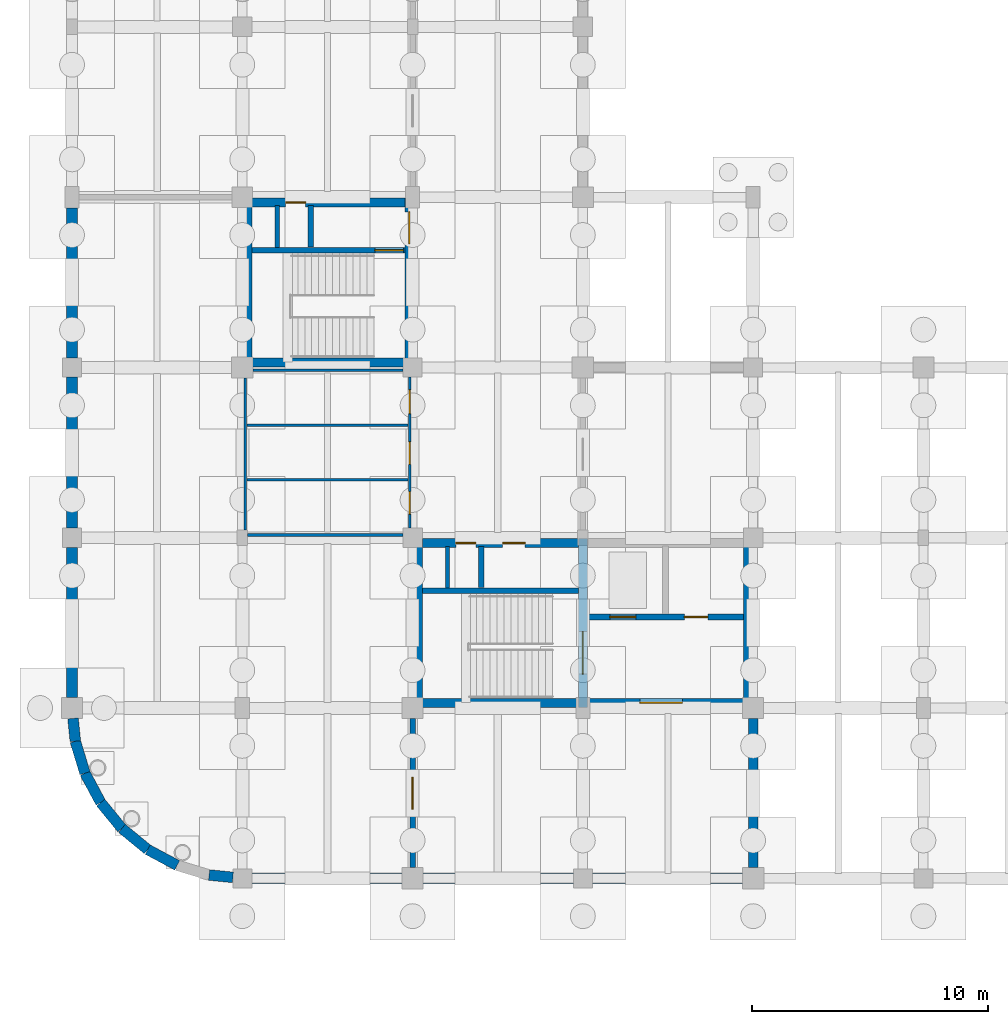
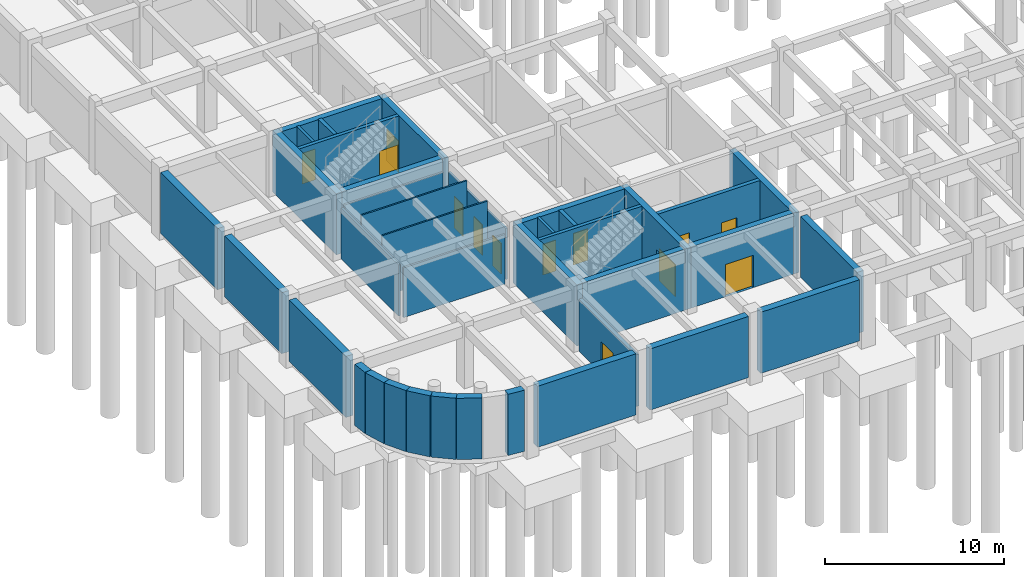
# One storey, part 37 of 47: 38 walls, 13 doors, 13 openings.
"""IFC4 building model written with IfcOpenShell, lengths in metres."""

from ifc_helpers import new_model, si_unit, direction, frame, frame_2d, origin, place, context, subcontext, project, spatial, rectangle, extrude, material, layer, layer_set, type_object, element, fill, save


model = new_model("IFC4")

# Units and contexts
model_context = context("Model", 3, precision=1e-05, world=origin(), true_north=direction((0.0, 1.0)))
body_context = subcontext(model_context, "Body", "Model", "MODEL_VIEW")
ifc_project = project(units=[si_unit("LENGTHUNIT", "METRE"), si_unit("AREAUNIT", "SQUARE_METRE"), si_unit("VOLUMEUNIT", "CUBIC_METRE"), si_unit("PLANEANGLEUNIT", "RADIAN"), si_unit("MASSUNIT", "GRAM", prefix="KILO")], contexts=[model_context])

# Site, building, storey
site_placement = place(None, origin())
site = spatial("IfcSite", under=ifc_project, at=site_placement, CompositionType="ELEMENT")
building_placement = place(site_placement, origin())
building = spatial("IfcBuilding", under=site, at=building_placement, Name="Thalmaran Polytechnic", CompositionType="ELEMENT")
storey_placement = place(building_placement, frame((0.0, 0.0, -4.5)))
storey = spatial("IfcBuildingStorey", under=building, at=storey_placement, Name="B1", CompositionType="ELEMENT", Elevation=-4.5)

# Walls
ifc_material_1 = material(Name="Autoclaved aerated masonry", Category="masonry")
ifc_layer_1 = layer(ifc_material_1, 0.22998046875, Name="Autoclaved aerated masonry")
ifc_layer_set_1 = layer_set([ifc_layer_1], Name="Autoclaved aerated masonry")
wall_type_1 = type_object("IfcWallType", Name="WL-IW02", PredefinedType="PARTITIONING", material=ifc_layer_set_1)
for number, where, z_axis, x_axis, name in (
    (1, (17.300048828125, 12.300048828125, 0.0), (0.0, 0.0, 1.0), (0.0, 1.0, 0.0), "Core C1 Riser Partition B1"),
    (2, (10.10009765625, 26.699951171875, 0.0), (0.0, 0.0, 1.0), (0.0, 1.0, 0.0), "Core C3 Riser Partition B1"),
):
    element("IfcWall", number, at=place(storey_placement, frame(where, z_axis=z_axis, x_axis=x_axis)), inside=storey, type_object=wall_type_1, Name=name, PredefinedType="PARTITIONING", context=body_context, shape_type="SweptSolid", body=[
        extrude(rectangle(XDim=1.739990234375, YDim=0.22998046875, at=frame_2d((0.8701171875, 0.0))), origin(), (0.0, 0.0, 1.0), 4.169921875),
    ])

# Wall, opening, door
wall_1_placement = place(storey_placement, frame((14.39990234375, 0.455078125, 0.0), z_axis=(0.0, 0.0, 1.0), x_axis=(0.0, 1.0, 0.0)))
wall_1 = element("IfcWall", 3, at=wall_1_placement, inside=storey, type_object=wall_type_1, Name="Interior Partition IW02 B1-003", PredefinedType="PARTITIONING", context=body_context, shape_type="SweptSolid", body=[
    extrude(rectangle(XDim=6.2998046875, YDim=0.22998046875, at=frame_2d((3.14990234375, 0.0))), origin(), (0.0, 0.0, 1.0), 3.5400390625),
])
opening_1_placement = place(wall_1_placement, frame((2.47509765625, 0.0, 0.0)))
opening_1 = element("IfcOpeningElement", 4, at=opening_1_placement, cuts=wall_1, Name="Opening D-B1-001--SUB-1", PredefinedType="OPENING", context=body_context, shape_type="SweptSolid", body=[
    extrude(rectangle(XDim=1.35009765625, YDim=2.14990234375, at=frame_2d((0.675048828125, 1.074951171875))), frame((0.0, 0.125, 0.0), z_axis=(0.0, -1.0, 0.0), x_axis=(1.0, 0.0, 0.0)), (0.0, 0.0, 1.0), 0.25),
])
ifc_material_2 = material(Name="Powder-coated fire-rated steel", Category="steel")
door_type_1 = type_object("IfcDoorType", Name="DR-FD06", OperationType="NOTDEFINED", PredefinedType="DOOR", material=ifc_material_2)
door_1_placement = place(opening_1_placement, origin())
door_1 = element("IfcDoor", 5, at=door_1_placement, inside=storey, type_object=door_type_1, Name="HV Substation and Standby Power Plant Room Door 1", OperationType="SINGLE_SWING_LEFT", OverallHeight=2.14990234375, OverallWidth=1.35009765625, PredefinedType="DOOR", context=body_context, shape_type="SweptSolid", body=[
    extrude(rectangle(XDim=1.35009765625, YDim=2.14990234375, at=frame_2d((0.675048828125, 1.074951171875))), frame((0.0, 0.02490234375, 0.0), z_axis=(0.0, -1.0, 0.0), x_axis=(1.0, 0.0, 0.0)), (0.0, 0.0, 1.0), 0.050048828125),
])
fill(opening_1, door_1)

# Walls
ifc_layer_2 = layer(ifc_material_1, 0.179931640625, Name="Autoclaved aerated masonry")
ifc_layer_set_2 = layer_set([ifc_layer_2], Name="Autoclaved aerated masonry")
wall_type_2 = type_object("IfcWallType", Name="WL-IW04", PredefinedType="PARTITIONING", material=ifc_layer_set_2)
for number, where, z_axis, x_axis, name in (
    (6, (15.8798828125, 12.280029296875, 0.0), (0.0, 0.0, 1.0), (0.0, 1.0, 0.0), "Core C1 Riser Shaft Enclosure Wall B1"),
    (7, (8.679931640625, 26.679931640625, 0.0), (0.0, 0.0, 1.0), (0.0, 1.0, 0.0), "Core C3 Riser Shaft Enclosure Wall B1"),
):
    element("IfcWall", number, at=place(storey_placement, frame(where, z_axis=z_axis, x_axis=x_axis)), inside=storey, type_object=wall_type_2, Name=name, PredefinedType="PARTITIONING", context=body_context, shape_type="SweptSolid", body=[
        extrude(rectangle(XDim=1.760009765625, YDim=0.179931640625, at=frame_2d((0.8798828125, 0.0))), origin(), (0.0, 0.0, 1.0), 4.169921875),
    ])
ifc_material_3 = material(Name="Gypsum acoustic partition")
ifc_layer_3 = layer(ifc_material_3, 0.114990234375, Name="Gypsum acoustic partition")
ifc_layer_set_3 = layer_set([ifc_layer_3], Name="Gypsum acoustic partition")
wall_type_3 = type_object("IfcWallType", Name="WL-IW08", PredefinedType="PARTITIONING", material=ifc_layer_set_3)
wall_2_placement = place(storey_placement, frame((7.429931640625, 14.52001953125, 0.0), z_axis=(0.0, 0.0, 1.0), x_axis=(1.0, 0.0, 0.0)))
element("IfcWall", 8, at=wall_2_placement, inside=storey, type_object=wall_type_3, Name="Sanitary Core Wall B1-W1-S", PredefinedType="PARTITIONING", context=body_context, shape_type="SweptSolid", body=[
    extrude(rectangle(XDim=6.55517578125, YDim=0.114990234375, at=frame_2d((3.277587890625, 0.0))), origin(), (0.0, 0.0, 1.0), 3.389892578125),
])
wall_3_placement = place(storey_placement, frame((7.655029296875, 21.47998046875, 0.0), z_axis=(0.0, 0.0, 1.0), x_axis=(1.0, 0.0, 0.0)))
element("IfcWall", 9, at=wall_3_placement, inside=storey, type_object=wall_type_3, Name="Sanitary Core Wall B1-W1-N", PredefinedType="PARTITIONING", context=body_context, shape_type="SweptSolid", body=[
    extrude(rectangle(XDim=6.340087890625, YDim=0.114990234375, at=frame_2d((3.169921875, 0.0))), origin(), (0.0, 0.0, 1.0), 3.389892578125),
])
wall_4_placement = place(storey_placement, frame((7.320068359375, 14.72998046875, 0.0), z_axis=(0.0, 0.0, 1.0), x_axis=(0.0, 1.0, 0.0)))
element("IfcWall", 10, at=wall_4_placement, inside=storey, type_object=wall_type_3, Name="Sanitary Side Wall B1-W1-W", PredefinedType="PARTITIONING", context=body_context, shape_type="SweptSolid", body=[
    extrude(rectangle(XDim=6.4150390625, YDim=0.114990234375, at=frame_2d((3.20751953125, 0.0))), origin(), (0.0, 0.0, 1.0), 3.485107421875),
])

# Wall, openings, doors
wall_5_placement = place(storey_placement, frame((14.280029296875, 14.81494140625, 0.0), z_axis=(0.0, 0.0, 1.0), x_axis=(0.0, 1.0, 0.0)))
wall_5 = element("IfcWall", 11, at=wall_5_placement, inside=storey, type_object=wall_type_3, Name="Sanitary Side Wall B1-W1-E", PredefinedType="PARTITIONING", context=body_context, shape_type="SweptSolid", body=[
    extrude(rectangle(XDim=6.380126953125, YDim=0.114990234375, at=frame_2d((3.18994140625, 0.0))), origin(), (0.0, 0.0, 1.0), 3.485107421875),
])
opening_2_placement = place(wall_5_placement, frame((0.5849609375, 0.0, 0.0)))
opening_2 = element("IfcOpeningElement", 12, at=opening_2_placement, cuts=wall_5, Name="Opening WD-B1-W1-1", PredefinedType="OPENING", context=body_context, shape_type="SweptSolid", body=[
    extrude(rectangle(XDim=0.949951171875, YDim=2.10009765625, at=frame_2d((0.47509765625, 1.050048828125))), frame((0.0, 0.0673828125, 0.0), z_axis=(0.0, -1.0, 0.0), x_axis=(1.0, 0.0, 0.0)), (0.0, 0.0, 1.0), 0.135009765625),
])
opening_3_placement = place(wall_5_placement, frame((2.68505859375, 0.0, 0.0)))
opening_3 = element("IfcOpeningElement", 13, at=opening_3_placement, cuts=wall_5, Name="Opening WD-B1-W1-2", PredefinedType="OPENING", context=body_context, shape_type="SweptSolid", body=[
    extrude(rectangle(XDim=0.949951171875, YDim=2.10009765625, at=frame_2d((0.47509765625, 1.050048828125))), frame((0.0, 0.0673828125, 0.0), z_axis=(0.0, -1.0, 0.0), x_axis=(1.0, 0.0, 0.0)), (0.0, 0.0, 1.0), 0.135009765625),
])
opening_4_placement = place(wall_5_placement, frame((4.8349609375, 0.0, 0.0)))
opening_4 = element("IfcOpeningElement", 14, at=opening_4_placement, cuts=wall_5, Name="Opening WD-B1-W1-3", PredefinedType="OPENING", context=body_context, shape_type="SweptSolid", body=[
    extrude(rectangle(XDim=1.0, YDim=2.14990234375, at=frame_2d((0.5, 1.074951171875))), frame((0.0, 0.0673828125, 0.0), z_axis=(0.0, -1.0, 0.0), x_axis=(1.0, 0.0, 0.0)), (0.0, 0.0, 1.0), 0.135009765625),
])
ifc_material_4 = material(Name="Acoustic hardwood", Category="wood")
door_type_2 = type_object("IfcDoorType", Name="DR-ID06", OperationType="NOTDEFINED", PredefinedType="DOOR", material=ifc_material_4)
door_2_placement = place(opening_4_placement, origin())
door_2 = element("IfcDoor", 15, at=door_2_placement, inside=storey, type_object=door_type_2, Name="Accessible WC Door B1-W1", OperationType="SINGLE_SWING_LEFT", OverallHeight=2.14990234375, OverallWidth=1.0, PredefinedType="DOOR", context=body_context, shape_type="SweptSolid", body=[
    extrude(rectangle(XDim=1.0, YDim=2.14990234375, at=frame_2d((0.5, 1.074951171875))), frame((0.0, 0.02490234375, 0.0), z_axis=(0.0, -1.0, 0.0), x_axis=(1.0, 0.0, 0.0)), (0.0, 0.0, 1.0), 0.050048828125),
])
fill(opening_4, door_2)
ifc_material_5 = material(Name="Moisture-resistant laminate timber", Category="wood")
door_type_3 = type_object("IfcDoorType", Name="DR-ID07", OperationType="NOTDEFINED", PredefinedType="DOOR", material=ifc_material_5)
door_3_placement = place(opening_2_placement, origin())
door_3 = element("IfcDoor", 16, at=door_3_placement, inside=storey, type_object=door_type_3, Name="Male WC Door B1-W1", OperationType="SINGLE_SWING_LEFT", OverallHeight=2.10009765625, OverallWidth=0.949951171875, PredefinedType="DOOR", context=body_context, shape_type="SweptSolid", body=[
    extrude(rectangle(XDim=0.949951171875, YDim=2.10009765625, at=frame_2d((0.47509765625, 1.050048828125))), frame((0.0, 0.02490234375, 0.0), z_axis=(0.0, -1.0, 0.0), x_axis=(1.0, 0.0, 0.0)), (0.0, 0.0, 1.0), 0.050048828125),
])
fill(opening_2, door_3)
door_4_placement = place(opening_3_placement, origin())
door_4 = element("IfcDoor", 17, at=door_4_placement, inside=storey, type_object=door_type_3, Name="Female WC Door B1-W1", OperationType="SINGLE_SWING_RIGHT", OverallHeight=2.10009765625, OverallWidth=0.949951171875, PredefinedType="DOOR", context=body_context, shape_type="SweptSolid", body=[
    extrude(rectangle(XDim=0.949951171875, YDim=2.10009765625, at=frame_2d((0.47509765625, 1.050048828125))), frame((0.0, 0.02490234375, 0.0), z_axis=(0.0, -1.0, 0.0), x_axis=(1.0, 0.0, 0.0)), (0.0, 0.0, 1.0), 0.050048828125),
])
fill(opening_3, door_4)

# Walls
ifc_material_6 = material(Name="Moisture-resistant partition")
ifc_layer_4 = layer(ifc_material_6, 0.10009765625, Name="Moisture-resistant partition")
ifc_layer_set_4 = layer_set([ifc_layer_4], Name="Moisture-resistant partition")
wall_type_4 = type_object("IfcWallType", Name="WL-IW09", PredefinedType="PARTITIONING", material=ifc_layer_set_4)
for number, where, z_axis, x_axis, name in (
    (18, (7.39990234375, 16.85009765625, 0.0), (0.0, 0.0, 1.0), (1.0, 0.0, 0.0), "WC Partition B1-W1-1"),
    (19, (7.39990234375, 19.14990234375, 0.0), (0.0, 0.0, 1.0), (1.0, 0.0, 0.0), "WC Partition B1-W1-2"),
):
    element("IfcWall", number, at=place(storey_placement, frame(where, z_axis=z_axis, x_axis=x_axis)), inside=storey, type_object=wall_type_4, Name=name, PredefinedType="PARTITIONING", context=body_context, shape_type="SweptSolid", body=[
        extrude(rectangle(XDim=6.800048828125, YDim=0.10009765625, at=frame_2d((3.39990234375, 0.0))), origin(), (0.0, 0.0, 1.0), 4.169921875),
    ])
ifc_material_7 = material(Name="Concrete C40/50", Category="concrete")
ifc_layer_5 = layer(ifc_material_7, 0.449951171875, Name="Concrete C40/50")
ifc_layer_set_5 = layer_set([ifc_layer_5], Name="Concrete C40/50")
wall_type_5 = type_object("IfcWallType", Name="WL-RW01", PredefinedType="SOLIDWALL", material=ifc_layer_set_5)
wall_6_placement = place(storey_placement, frame((0.548095703125, 4.444580078125, 0.0), z_axis=(0.0, 0.0, 1.0), x_axis=(-0.290218599957, 0.95696037757, 0.0)))
element("IfcWall", 20, at=wall_6_placement, inside=storey, type_object=wall_type_5, Name="Basement Retaining Wall B1-001", PredefinedType="SOLIDWALL", context=body_context, shape_type="SweptSolid", body=[
    extrude(rectangle(XDim=1.41162109375, YDim=0.449951171875, at=frame_2d((0.705810546875, 0.0))), origin(), (0.0, 0.0, 1.0), 4.169921875),
])
wall_7_placement = place(storey_placement, frame((0.138427734375, 5.79541015625, 0.0), z_axis=(0.0, 0.0, 1.0), x_axis=(-0.098010679686, 0.995185362969, 0.0)))
element("IfcWall", 21, at=wall_7_placement, inside=storey, type_object=wall_type_5, Name="Basement Retaining Wall B1-002", PredefinedType="SOLIDWALL", context=body_context, shape_type="SweptSolid", body=[
    extrude(rectangle(XDim=0.971435546875, YDim=0.449951171875, at=frame_2d((0.48583984375, 0.0))), origin(), (0.0, 0.0, 1.0), 4.169921875),
])
wall_8_placement = place(storey_placement, frame((0.0, 7.639892578125, 0.0), z_axis=(0.0, 0.0, 1.0), x_axis=(0.0, 1.0, 0.0)))
element("IfcWall", 22, at=wall_8_placement, inside=storey, type_object=wall_type_5, Name="Basement Retaining Wall B1-003", PredefinedType="SOLIDWALL", context=body_context, shape_type="SweptSolid", body=[
    extrude(rectangle(XDim=6.35009765625, YDim=0.449951171875, at=frame_2d((3.175048828125, 0.0))), origin(), (0.0, 0.0, 1.0), 4.169921875),
])
wall_9_placement = place(storey_placement, frame((0.0, 14.81005859375, 0.0), z_axis=(0.0, 0.0, 1.0), x_axis=(0.0, 1.0, 0.0)))
element("IfcWall", 23, at=wall_9_placement, inside=storey, type_object=wall_type_5, Name="Basement Retaining Wall B1-004", PredefinedType="SOLIDWALL", context=body_context, shape_type="SweptSolid", body=[
    extrude(rectangle(XDim=6.389892578125, YDim=0.449951171875, at=frame_2d((3.19482421875, 0.0))), origin(), (0.0, 0.0, 1.0), 4.169921875),
])
for number, where, z_axis, x_axis, name in (
    (24, (0.0, 22.0, 0.0), (0.0, 0.0, 1.0), (0.0, 1.0, 0.0), "Basement Retaining Wall B1-005"),
    (25, (28.35009765625, 0.0, 0.0), (0.0, 0.0, 1.0), (-1.0, 0.0, 0.0), "Basement Retaining Wall B1-092"),
):
    element("IfcWall", number, at=place(storey_placement, frame(where, z_axis=z_axis, x_axis=x_axis)), inside=storey, type_object=wall_type_5, Name=name, PredefinedType="SOLIDWALL", context=body_context, shape_type="SweptSolid", body=[
        extrude(rectangle(XDim=6.35009765625, YDim=0.449951171875, at=frame_2d((3.175048828125, 0.0))), origin(), (0.0, 0.0, 1.0), 4.169921875),
    ])
for number, where, z_axis, x_axis, name in (
    (26, (21.199951171875, 0.0, 0.0), (0.0, 0.0, 1.0), (-1.0, 0.0, 0.0), "Basement Retaining Wall B1-093"),
    (27, (13.949951171875, 0.0, 0.0), (0.0, 0.0, 1.0), (-1.0, 0.0, 0.0), "Basement Retaining Wall B1-094"),
):
    element("IfcWall", number, at=place(storey_placement, frame(where, z_axis=z_axis, x_axis=x_axis)), inside=storey, type_object=wall_type_5, Name=name, PredefinedType="SOLIDWALL", context=body_context, shape_type="SweptSolid", body=[
        extrude(rectangle(XDim=6.349853515625, YDim=0.449951171875, at=frame_2d((3.1748046875, 0.0))), origin(), (0.0, 0.0, 1.0), 4.169921875),
    ])
wall_10_placement = place(storey_placement, frame((6.802001953125, 0.039306640625, 0.0), z_axis=(0.0, 0.0, 1.0), x_axis=(-0.9951866114, 0.097998002481, 0.0)))
element("IfcWall", 28, at=wall_10_placement, inside=storey, type_object=wall_type_5, Name="Basement Retaining Wall B1-095", PredefinedType="SOLIDWALL", context=body_context, shape_type="SweptSolid", body=[
    extrude(rectangle(XDim=1.011474609375, YDim=0.449951171875, at=frame_2d((0.505859375, 0.0))), origin(), (0.0, 0.0, 1.0), 4.169921875),
])
wall_11_placement = place(storey_placement, frame((4.444580078125, 0.548095703125, 0.0), z_axis=(0.0, 0.0, 1.0), x_axis=(-0.881916788861, 0.471405109778, 0.0)))
element("IfcWall", 29, at=wall_11_placement, inside=storey, type_object=wall_type_5, Name="Basement Retaining Wall B1-097", PredefinedType="SOLIDWALL", context=body_context, shape_type="SweptSolid", body=[
    extrude(rectangle(XDim=1.411376953125, YDim=0.449951171875, at=frame_2d((0.70556640625, 0.0))), origin(), (0.0, 0.0, 1.0), 4.169921875),
])
for number, where, z_axis, x_axis, name in (
    (30, (3.199951171875, 1.21337890625, 0.0), (0.0, 0.0, 1.0), (-0.772977670605, 0.634433227965, 0.0), "Basement Retaining Wall B1-098"),
    (31, (2.10888671875, 2.10888671875, 0.0), (0.0, 0.0, 1.0), (-0.634433227965, 0.772977670605, 0.0), "Basement Retaining Wall B1-099"),
):
    element("IfcWall", number, at=place(storey_placement, frame(where, z_axis=z_axis, x_axis=x_axis)), inside=storey, type_object=wall_type_5, Name=name, PredefinedType="SOLIDWALL", context=body_context, shape_type="SweptSolid", body=[
        extrude(rectangle(XDim=1.41162109375, YDim=0.449951171875, at=frame_2d((0.705810546875, 0.0))), origin(), (0.0, 0.0, 1.0), 4.169921875),
    ])
wall_12_placement = place(storey_placement, frame((1.21337890625, 3.199951171875, 0.0), z_axis=(0.0, 0.0, 1.0), x_axis=(-0.471405109778, 0.881916788861, 0.0)))
element("IfcWall", 32, at=wall_12_placement, inside=storey, type_object=wall_type_5, Name="Basement Retaining Wall B1-100", PredefinedType="SOLIDWALL", context=body_context, shape_type="SweptSolid", body=[
    extrude(rectangle(XDim=1.411376953125, YDim=0.449951171875, at=frame_2d((0.70556640625, 0.0))), origin(), (0.0, 0.0, 1.0), 4.169921875),
])
ifc_layer_6 = layer(ifc_material_7, 0.39990234375, Name="Concrete C40/50")
ifc_layer_set_6 = layer_set([ifc_layer_6], Name="Concrete C40/50")
wall_type_6 = type_object("IfcWallType", Name="WL-RW02", PredefinedType="SOLIDWALL", material=ifc_layer_set_6)
wall_13_placement = place(storey_placement, frame((28.800048828125, 6.760009765625, 0.0), z_axis=(0.0, 0.0, 1.0), x_axis=(0.0, -1.0, 0.0)))
element("IfcWall", 33, at=wall_13_placement, inside=storey, type_object=wall_type_6, Name="Basement Retaining Wall B1-091", PredefinedType="SOLIDWALL", context=body_context, shape_type="SweptSolid", body=[
    extrude(rectangle(XDim=6.31005859375, YDim=0.39990234375, at=frame_2d((3.155029296875, 0.0))), origin(), (0.0, 0.0, 1.0), 4.169921875),
])
ifc_material_8 = material(Name="Concrete C50/60", Category="concrete")
ifc_layer_7 = layer(ifc_material_8, 0.3798828125, Name="Concrete C50/60")
ifc_layer_set_7 = layer_set([ifc_layer_7], Name="Concrete C50/60")
wall_type_7 = type_object("IfcWallType", Name="WL-SW02", PredefinedType="SHEAR", material=ifc_layer_set_7)
wall_14_placement = place(storey_placement, frame((14.81005859375, 7.419921875, 0.0), z_axis=(0.0, 0.0, 1.0), x_axis=(1.0, 0.0, 0.0)))
element("IfcWall", 34, at=wall_14_placement, inside=storey, type_object=wall_type_7, Name="Core C1 South Shear Wall B1", PredefinedType="SHEAR", context=body_context, shape_type="SweptSolid", body=[
    extrude(rectangle(XDim=6.599853515625, YDim=0.3798828125, at=frame_2d((3.2998046875, 0.0))), origin(), (0.0, 0.0, 1.0), 4.169921875),
])
wall_15_placement = place(storey_placement, frame((14.6201171875, 14.3701171875, 0.0), z_axis=(0.0, 0.0, 1.0), x_axis=(0.0, -1.0, 0.0)))
element("IfcWall", 35, at=wall_15_placement, inside=storey, type_object=wall_type_7, Name="Core C1 West Shear Wall B1", PredefinedType="SHEAR", context=body_context, shape_type="SweptSolid", body=[
    extrude(rectangle(XDim=7.14013671875, YDim=0.3798828125, at=frame_2d((3.570068359375, 0.0))), origin(), (0.0, 0.0, 1.0), 4.169921875),
])

# Wall, openings, doors
wall_16_placement = place(storey_placement, frame((14.81005859375, 14.179931640625, 0.0), z_axis=(0.0, 0.0, 1.0), x_axis=(1.0, 0.0, 0.0)))
wall_16 = element("IfcWall", 36, at=wall_16_placement, inside=storey, type_object=wall_type_7, Name="Core C1 North Shear Wall B1", PredefinedType="SHEAR", context=body_context, shape_type="SweptSolid", body=[
    extrude(rectangle(XDim=6.599853515625, YDim=0.3798828125, at=frame_2d((3.2998046875, 0.0))), origin(), (0.0, 0.0, 1.0), 4.169921875),
])
opening_5_placement = place(wall_16_placement, frame((1.419921875, 0.0, 0.0)))
opening_5 = element("IfcOpeningElement", 37, at=opening_5_placement, cuts=wall_16, Name="Opening DR-C1-B1-R", PredefinedType="OPENING", context=body_context, shape_type="SweptSolid", body=[
    extrude(rectangle(XDim=0.85009765625, YDim=2.10009765625, at=frame_2d((0.425048828125, 1.050048828125))), frame((0.0, 0.199951171875, 0.0), z_axis=(0.0, -1.0, 0.0), x_axis=(1.0, 0.0, 0.0)), (0.0, 0.0, 1.0), 0.39990234375),
])
opening_6_placement = place(wall_16_placement, frame((3.39990234375, 0.0, 0.0)))
opening_6 = element("IfcOpeningElement", 38, at=opening_6_placement, cuts=wall_16, Name="Opening ED-C1-B1-E", PredefinedType="OPENING", context=body_context, shape_type="SweptSolid", body=[
    extrude(rectangle(XDim=0.949951171875, YDim=2.14990234375, at=frame_2d((0.47509765625, 1.074951171875))), frame((0.0, 0.199951171875, 0.0), z_axis=(0.0, -1.0, 0.0), x_axis=(1.0, 0.0, 0.0)), (0.0, 0.0, 1.0), 0.39990234375),
])
door_type_4 = type_object("IfcDoorType", Name="DR-FD08", OperationType="NOTDEFINED", PredefinedType="DOOR", material=ifc_material_2)
door_5_placement = place(opening_6_placement, origin())
door_5 = element("IfcDoor", 39, at=door_5_placement, inside=storey, type_object=door_type_4, Name="Electrical Riser Door C1 B1", OperationType="SINGLE_SWING_LEFT", OverallHeight=2.14990234375, OverallWidth=0.949951171875, PredefinedType="DOOR", context=body_context, shape_type="SweptSolid", body=[
    extrude(rectangle(XDim=0.949951171875, YDim=2.14990234375, at=frame_2d((0.47509765625, 1.074951171875))), frame((0.0, 0.02490234375, 0.0), z_axis=(0.0, -1.0, 0.0), x_axis=(1.0, 0.0, 0.0)), (0.0, 0.0, 1.0), 0.050048828125),
])
fill(opening_6, door_5)
door_type_5 = type_object("IfcDoorType", Name="DR-FD09", OperationType="NOTDEFINED", PredefinedType="DOOR", material=ifc_material_2)
door_6_placement = place(opening_5_placement, origin())
door_6 = element("IfcDoor", 40, at=door_6_placement, inside=storey, type_object=door_type_5, Name="Riser Access Fire Door C1 B1", OperationType="SINGLE_SWING_LEFT", OverallHeight=2.10009765625, OverallWidth=0.85009765625, PredefinedType="DOOR", context=body_context, shape_type="SweptSolid", body=[
    extrude(rectangle(XDim=0.85009765625, YDim=2.10009765625, at=frame_2d((0.425048828125, 1.050048828125))), frame((0.0, 0.02490234375, 0.0), z_axis=(0.0, -1.0, 0.0), x_axis=(1.0, 0.0, 0.0)), (0.0, 0.0, 1.0), 0.050048828125),
])
fill(opening_5, door_6)

# Wall
wall_17_placement = place(storey_placement, frame((14.81005859375, 12.159912109375, 0.0), z_axis=(0.0, 0.0, 1.0), x_axis=(1.0, 0.0, 0.0)))
element("IfcWall", 41, at=wall_17_placement, inside=storey, type_object=wall_type_7, Name="Core C1 Stair Partition B1", PredefinedType="SHEAR", context=body_context, shape_type="SweptSolid", body=[
    extrude(rectangle(XDim=6.599853515625, YDim=0.219970703125, at=frame_2d((3.2998046875, 0.0))), origin(), (0.0, 0.0, 1.0), 4.169921875),
])

# Wall, opening, door
wall_18_placement = place(storey_placement, frame((21.60009765625, 7.22998046875, 0.0), z_axis=(0.0, 0.0, 1.0), x_axis=(0.0, 1.0, 0.0)))
wall_18 = element("IfcWall", 42, at=wall_18_placement, inside=storey, type_object=wall_type_7, Name="Core C1 Stair-Lobby Dividing Shear Wall B1", PredefinedType="SHEAR", context=body_context, shape_type="SweptSolid", body=[
    extrude(rectangle(XDim=7.14013671875, YDim=0.3798828125, at=frame_2d((3.570068359375, 0.0))), origin(), (0.0, 0.0, 1.0), 4.169921875),
])
opening_7_placement = place(wall_18_placement, frame((1.39990234375, 0.0, 0.0)))
opening_7 = element("IfcOpeningElement", 43, at=opening_7_placement, cuts=wall_18, Name="Opening SD-ST1-B1", PredefinedType="OPENING", context=body_context, shape_type="SweptSolid", body=[
    extrude(rectangle(XDim=1.800048828125, YDim=2.199951171875, at=frame_2d((0.89990234375, 1.10009765625))), frame((0.0, 0.199951171875, 0.0), z_axis=(0.0, -1.0, 0.0), x_axis=(1.0, 0.0, 0.0)), (0.0, 0.0, 1.0), 0.39990234375),
])
door_type_6 = type_object("IfcDoorType", Name="DR-FD03", OperationType="NOTDEFINED", PredefinedType="DOOR", material=ifc_material_2)
door_7_placement = place(opening_7_placement, origin())
door_7 = element("IfcDoor", 44, at=door_7_placement, inside=storey, type_object=door_type_6, Name="Firefighting Lobby to Exit Stair Door ST1 B1", OperationType="SINGLE_SWING_RIGHT", OverallHeight=2.199951171875, OverallWidth=1.800048828125, PredefinedType="DOOR", context=body_context, shape_type="SweptSolid", body=[
    extrude(rectangle(XDim=1.800048828125, YDim=2.199951171875, at=frame_2d((0.89990234375, 1.10009765625))), frame((0.0, 0.02490234375, 0.0), z_axis=(0.0, -1.0, 0.0), x_axis=(1.0, 0.0, 0.0)), (0.0, 0.0, 1.0), 0.050048828125),
])
fill(opening_7, door_7)

wall_19_placement = place(storey_placement, frame((21.7900390625, 7.419921875, 0.0), z_axis=(0.0, 0.0, 1.0), x_axis=(1.0, 0.0, 0.0)))
wall_19 = element("IfcWall", 45, at=wall_19_placement, inside=storey, type_object=wall_type_7, Name="Core C1 Lobby South Wall B1", PredefinedType="SHEAR", context=body_context, shape_type="SweptSolid", body=[
    extrude(rectangle(XDim=6.599853515625, YDim=0.3798828125, at=frame_2d((3.2998046875, 0.0))), origin(), (0.0, 0.0, 1.0), 4.169921875),
])
opening_8_placement = place(wall_19_placement, frame((2.219970703125, 0.0, 0.0)))
opening_8 = element("IfcOpeningElement", 46, at=opening_8_placement, cuts=wall_19, Name="Opening FD-C1-B1", PredefinedType="OPENING", context=body_context, shape_type="SweptSolid", body=[
    extrude(rectangle(XDim=1.800048828125, YDim=2.199951171875, at=frame_2d((0.89990234375, 1.10009765625))), frame((0.0, 0.199951171875, 0.0), z_axis=(0.0, -1.0, 0.0), x_axis=(1.0, 0.0, 0.0)), (0.0, 0.0, 1.0), 0.39990234375),
])
door_type_7 = type_object("IfcDoorType", Name="DR-FD01", OperationType="NOTDEFINED", PredefinedType="DOOR", material=ifc_material_2)
door_8_placement = place(opening_8_placement, origin())
door_8 = element("IfcDoor", 47, at=door_8_placement, inside=storey, type_object=door_type_7, Name="Firefighting Lift Lobby Entrance Door C1 B1", OperationType="DOUBLE_DOOR_SINGLE_SWING", OverallHeight=2.199951171875, OverallWidth=1.800048828125, PredefinedType="DOOR", context=body_context, shape_type="SweptSolid", body=[
    extrude(rectangle(XDim=1.800048828125, YDim=2.199951171875, at=frame_2d((0.89990234375, 1.10009765625))), frame((0.0, 0.02490234375, 0.0), z_axis=(0.0, -1.0, 0.0), x_axis=(1.0, 0.0, 0.0)), (0.0, 0.0, 1.0), 0.050048828125),
])
fill(opening_8, door_8)

# Wall
wall_20_placement = place(storey_placement, frame((28.580078125, 7.22998046875, 0.0), z_axis=(0.0, 0.0, 1.0), x_axis=(0.0, 1.0, 0.0)))
element("IfcWall", 48, at=wall_20_placement, inside=storey, type_object=wall_type_7, Name="Core C1 Lobby East Shear Wall B1", PredefinedType="SHEAR", context=body_context, shape_type="SweptSolid", body=[
    extrude(rectangle(XDim=7.14013671875, YDim=0.3798828125, at=frame_2d((3.570068359375, 0.0))), origin(), (0.0, 0.0, 1.0), 4.169921875),
])

# Wall, openings, doors
wall_21_placement = place(storey_placement, frame((21.7900390625, 11.050048828125, 0.0), z_axis=(0.0, 0.0, 1.0), x_axis=(1.0, 0.0, 0.0)))
wall_21 = element("IfcWall", 49, at=wall_21_placement, inside=storey, type_object=wall_type_7, Name="Core C1 Lift Landing Front Wall B1", PredefinedType="SHEAR", context=body_context, shape_type="SweptSolid", body=[
    extrude(rectangle(XDim=6.599853515625, YDim=0.260009765625, at=frame_2d((3.2998046875, 0.0))), origin(), (0.0, 0.0, 1.0), 4.169921875),
])
opening_9_placement = place(wall_21_placement, frame((0.949951171875, 0.0, 0.0)))
opening_9 = element("IfcOpeningElement", 50, at=opening_9_placement, cuts=wall_21, Name="Opening LD-FL-01-B1", PredefinedType="OPENING", context=body_context, shape_type="SweptSolid", body=[
    extrude(rectangle(XDim=1.10009765625, YDim=2.199951171875, at=frame_2d((0.550048828125, 1.10009765625))), frame((0.0, 0.139892578125, 0.0), z_axis=(0.0, -1.0, 0.0), x_axis=(1.0, 0.0, 0.0)), (0.0, 0.0, 1.0), 0.280029296875),
])
opening_10_placement = place(wall_21_placement, frame((4.10009765625, 0.0, 0.0)))
opening_10 = element("IfcOpeningElement", 51, at=opening_10_placement, cuts=wall_21, Name="Opening LD-PL-01-B1", PredefinedType="OPENING", context=body_context, shape_type="SweptSolid", body=[
    extrude(rectangle(XDim=1.0, YDim=2.14990234375, at=frame_2d((0.5, 1.074951171875))), frame((0.0, 0.139892578125, 0.0), z_axis=(0.0, -1.0, 0.0), x_axis=(1.0, 0.0, 0.0)), (0.0, 0.0, 1.0), 0.280029296875),
])
ifc_material_9 = material(Name="Brushed stainless steel lift door", Category="steel")
door_type_8 = type_object("IfcDoorType", Name="DR-LD01", OperationType="NOTDEFINED", PredefinedType="DOOR", material=ifc_material_9)
door_9_placement = place(opening_9_placement, origin())
door_9 = element("IfcDoor", 52, at=door_9_placement, inside=storey, type_object=door_type_8, Name="Lift Landing Door FL-01 B1", OperationType="SLIDING_TO_LEFT", OverallHeight=2.199951171875, OverallWidth=1.10009765625, PredefinedType="DOOR", context=body_context, shape_type="SweptSolid", body=[
    extrude(rectangle(XDim=1.10009765625, YDim=2.199951171875, at=frame_2d((0.550048828125, 1.10009765625))), frame((0.0, 0.02490234375, 0.0), z_axis=(0.0, -1.0, 0.0), x_axis=(1.0, 0.0, 0.0)), (0.0, 0.0, 1.0), 0.050048828125),
])
fill(opening_9, door_9)
door_type_9 = type_object("IfcDoorType", Name="DR-LD02", OperationType="NOTDEFINED", PredefinedType="DOOR", material=ifc_material_9)
door_10_placement = place(opening_10_placement, origin())
door_10 = element("IfcDoor", 53, at=door_10_placement, inside=storey, type_object=door_type_9, Name="Lift Landing Door PL-01 B1", OperationType="SLIDING_TO_RIGHT", OverallHeight=2.14990234375, OverallWidth=1.0, PredefinedType="DOOR", context=body_context, shape_type="SweptSolid", body=[
    extrude(rectangle(XDim=1.0, YDim=2.14990234375, at=frame_2d((0.5, 1.074951171875))), frame((0.0, 0.02490234375, 0.0), z_axis=(0.0, -1.0, 0.0), x_axis=(1.0, 0.0, 0.0)), (0.0, 0.0, 1.0), 0.050048828125),
])
fill(opening_10, door_10)

# Walls
wall_22_placement = place(storey_placement, frame((7.610107421875, 21.820068359375, 0.0), z_axis=(0.0, 0.0, 1.0), x_axis=(1.0, 0.0, 0.0)))
element("IfcWall", 54, at=wall_22_placement, inside=storey, type_object=wall_type_7, Name="Core C3 South Shear Wall B1", PredefinedType="SHEAR", context=body_context, shape_type="SweptSolid", body=[
    extrude(rectangle(XDim=6.4599609375, YDim=0.3798828125, at=frame_2d((3.22998046875, 0.0))), origin(), (0.0, 0.0, 1.0), 4.169921875),
])
wall_23_placement = place(storey_placement, frame((7.419921875, 28.77001953125, 0.0), z_axis=(0.0, 0.0, 1.0), x_axis=(0.0, -1.0, 0.0)))
element("IfcWall", 55, at=wall_23_placement, inside=storey, type_object=wall_type_7, Name="Core C3 West Shear Wall B1", PredefinedType="SHEAR", context=body_context, shape_type="SweptSolid", body=[
    extrude(rectangle(XDim=7.14013671875, YDim=0.3798828125, at=frame_2d((3.570068359375, 0.0))), origin(), (0.0, 0.0, 1.0), 4.169921875),
])

# Wall, opening, door
wall_24_placement = place(storey_placement, frame((7.610107421875, 28.580078125, 0.0), z_axis=(0.0, 0.0, 1.0), x_axis=(1.0, 0.0, 0.0)))
wall_24 = element("IfcWall", 56, at=wall_24_placement, inside=storey, type_object=wall_type_7, Name="Core C3 North Shear Wall B1", PredefinedType="SHEAR", context=body_context, shape_type="SweptSolid", body=[
    extrude(rectangle(XDim=6.4599609375, YDim=0.3798828125, at=frame_2d((3.22998046875, 0.0))), origin(), (0.0, 0.0, 1.0), 4.169921875),
])
opening_11_placement = place(wall_24_placement, frame((1.419921875, 0.0, 0.0)))
opening_11 = element("IfcOpeningElement", 57, at=opening_11_placement, cuts=wall_24, Name="Opening DR-C3-B1-R", PredefinedType="OPENING", context=body_context, shape_type="SweptSolid", body=[
    extrude(rectangle(XDim=0.85009765625, YDim=2.10009765625, at=frame_2d((0.425048828125, 1.050048828125))), frame((0.0, 0.199951171875, 0.0), z_axis=(0.0, -1.0, 0.0), x_axis=(1.0, 0.0, 0.0)), (0.0, 0.0, 1.0), 0.39990234375),
])
door_11_placement = place(opening_11_placement, origin())
door_11 = element("IfcDoor", 58, at=door_11_placement, inside=storey, type_object=door_type_5, Name="Riser Access Fire Door C3 B1", OperationType="SINGLE_SWING_RIGHT", OverallHeight=2.10009765625, OverallWidth=0.85009765625, PredefinedType="DOOR", context=body_context, shape_type="SweptSolid", body=[
    extrude(rectangle(XDim=0.85009765625, YDim=2.10009765625, at=frame_2d((0.425048828125, 1.050048828125))), frame((0.0, 0.02490234375, 0.0), z_axis=(0.0, -1.0, 0.0), x_axis=(1.0, 0.0, 0.0)), (0.0, 0.0, 1.0), 0.050048828125),
])
fill(opening_11, door_11)

wall_25_placement = place(storey_placement, frame((7.610107421875, 26.56005859375, 0.0), z_axis=(0.0, 0.0, 1.0), x_axis=(1.0, 0.0, 0.0)))
wall_25 = element("IfcWall", 59, at=wall_25_placement, inside=storey, type_object=wall_type_7, Name="Core C3 Stair Partition B1", PredefinedType="SHEAR", context=body_context, shape_type="SweptSolid", body=[
    extrude(rectangle(XDim=6.4599609375, YDim=0.219970703125, at=frame_2d((3.22998046875, 0.0))), origin(), (0.0, 0.0, 1.0), 4.169921875),
])
opening_12_placement = place(wall_25_placement, frame((5.199951171875, 0.0, 0.0)))
opening_12 = element("IfcOpeningElement", 60, at=opening_12_placement, cuts=wall_25, Name="Opening SD-ST3-B1", PredefinedType="OPENING", context=body_context, shape_type="SweptSolid", body=[
    extrude(rectangle(XDim=1.199951171875, YDim=2.199951171875, at=frame_2d((0.60009765625, 1.10009765625))), frame((0.0, 0.119873046875, 0.0), z_axis=(0.0, -1.0, 0.0), x_axis=(1.0, 0.0, 0.0)), (0.0, 0.0, 1.0), 0.239990234375),
])
door_type_10 = type_object("IfcDoorType", Name="DR-FD04", OperationType="NOTDEFINED", PredefinedType="DOOR", material=ifc_material_2)
door_12_placement = place(opening_12_placement, origin())
door_12 = element("IfcDoor", 61, at=door_12_placement, inside=storey, type_object=door_type_10, Name="Exit Stair Fire Door ST3 B1", OperationType="DOUBLE_DOOR_SINGLE_SWING", OverallHeight=2.199951171875, OverallWidth=1.199951171875, PredefinedType="DOOR", context=body_context, shape_type="SweptSolid", body=[
    extrude(rectangle(XDim=1.199951171875, YDim=2.199951171875, at=frame_2d((0.60009765625, 1.10009765625))), frame((0.0, 0.02490234375, 0.0), z_axis=(0.0, -1.0, 0.0), x_axis=(1.0, 0.0, 0.0)), (0.0, 0.0, 1.0), 0.050048828125),
])
fill(opening_12, door_12)

wall_26_placement = place(storey_placement, frame((14.260009765625, 21.6298828125, 0.0), z_axis=(0.0, 0.0, 1.0), x_axis=(0.0, 1.0, 0.0)))
wall_26 = element("IfcWall", 62, at=wall_26_placement, inside=storey, type_object=wall_type_7, Name="Core C3 East Shear Wall B1", PredefinedType="SHEAR", context=body_context, shape_type="SweptSolid", body=[
    extrude(rectangle(XDim=7.14013671875, YDim=0.3798828125, at=frame_2d((3.570068359375, 0.0))), origin(), (0.0, 0.0, 1.0), 4.169921875),
])
opening_13_placement = place(wall_26_placement, frame((5.199951171875, 0.0, 0.0)))
opening_13 = element("IfcOpeningElement", 63, at=opening_13_placement, cuts=wall_26, Name="Opening LD-C3-B1", PredefinedType="OPENING", context=body_context, shape_type="SweptSolid", body=[
    extrude(rectangle(XDim=1.35009765625, YDim=2.14990234375, at=frame_2d((0.675048828125, 1.074951171875))), frame((0.0, 0.199951171875, 0.0), z_axis=(0.0, -1.0, 0.0), x_axis=(1.0, 0.0, 0.0)), (0.0, 0.0, 1.0), 0.39990234375),
])
door_13_placement = place(opening_13_placement, origin())
door_13 = element("IfcDoor", 64, at=door_13_placement, inside=storey, type_object=door_type_1, Name="Stair Lobby Fire Door C3 B1", OperationType="SINGLE_SWING_LEFT", OverallHeight=2.14990234375, OverallWidth=1.35009765625, PredefinedType="DOOR", context=body_context, shape_type="SweptSolid", body=[
    extrude(rectangle(XDim=1.35009765625, YDim=2.14990234375, at=frame_2d((0.675048828125, 1.074951171875))), frame((0.0, 0.02490234375, 0.0), z_axis=(0.0, -1.0, 0.0), x_axis=(1.0, 0.0, 0.0)), (0.0, 0.0, 1.0), 0.050048828125),
])
fill(opening_13, door_13)

save(model, "model.ifc")
